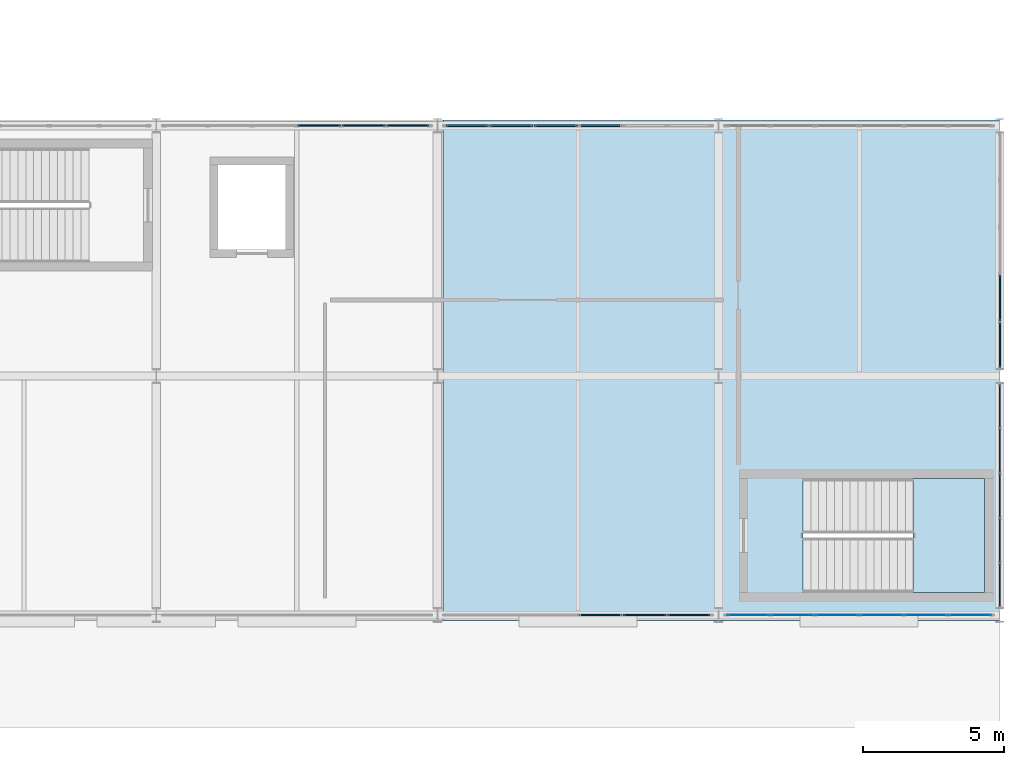
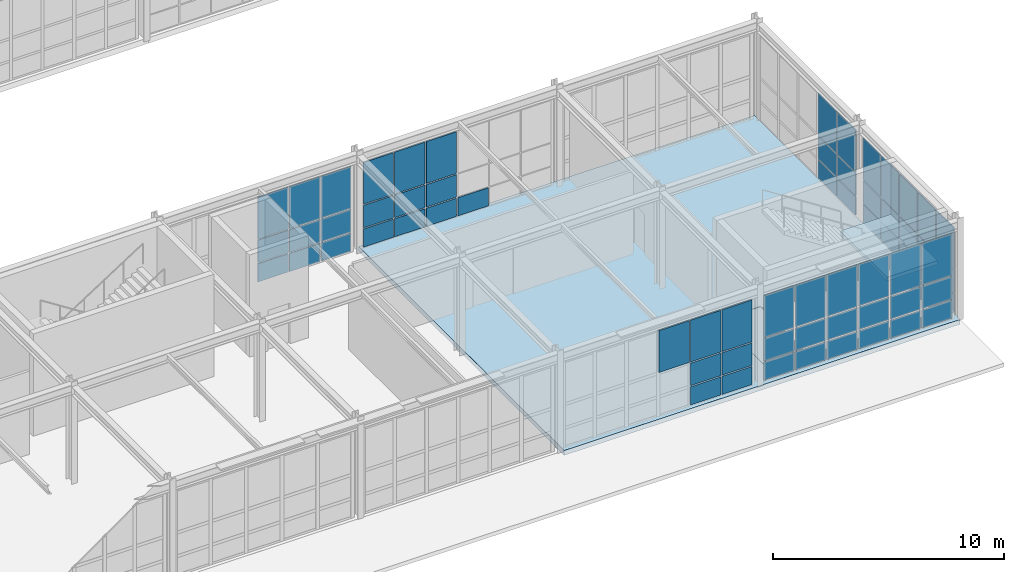
# One storey, part 144 of 210: 65 plates, 3 slabs, 7 elements without a shape of their own.
"""IFC4 building model written with IfcOpenShell, lengths in metres."""

from ifc_helpers import new_model, si_unit, direction, frame, origin, origin_2d, place, context, subcontext, project, spatial, polyline, rectangle, outline, extrude, material, layer, layer_set, type_object, element, aggregate, save


model = new_model("IFC4")

# Units and contexts
model_context = context("Model", 3, precision=1e-05, world=origin(), true_north=direction((0.0, 1.0)))
body_context = subcontext(model_context, "Body", "Model", "MODEL_VIEW")
ifc_project = project(units=[si_unit("LENGTHUNIT", "METRE"), si_unit("AREAUNIT", "SQUARE_METRE"), si_unit("VOLUMEUNIT", "CUBIC_METRE"), si_unit("PLANEANGLEUNIT", "RADIAN"), si_unit("MASSUNIT", "GRAM", prefix="KILO")], contexts=[model_context])

# Site, building, storey
site_placement = place(None, origin())
site = spatial("IfcSite", under=ifc_project, at=site_placement, CompositionType="ELEMENT")
building_placement = place(site_placement, origin())
building = spatial("IfcBuilding", under=site, at=building_placement, Name="Kaldris Quays Convention Centre", CompositionType="ELEMENT")
storey_placement = place(building_placement, frame((0.0, 0.0, 6.0)))
storey = spatial("IfcBuildingStorey", under=building, at=storey_placement, Name="L01", CompositionType="ELEMENT", Elevation=6.0)

# Curtain wall, plates
ifc_material_1 = material(Name="Anodized aluminium AW-6060 and triple glazing", Category="aluminium")
curtain_wall_type = type_object("IfcCurtainWallType", Name="UNITISED CURTAIN WALL CW02", PredefinedType="NOTDEFINED", material=ifc_material_1)
curtain_wall_1_placement = place(storey_placement, origin())
curtain_wall_1 = element("IfcCurtainWall", 1, at=curtain_wall_1_placement, inside=storey, type_object=curtain_wall_type, Name="L01 Unitised Curtain Wall CW02 193", PredefinedType="NOTDEFINED")
ifc_material_2 = material(Name="Triple low-E insulated glazing", Category="glass")
plate_type_1 = type_object("IfcPlateType", Name="CURTAIN GLAZING PANEL CWP1", PredefinedType="CURTAIN_PANEL", material=ifc_material_2)
plate_1_placement = place(storey_placement, frame((195.056640625, 20.0, 0.06005859375), z_axis=(0.0, 0.0, 1.0), x_axis=(1.0, 0.0, 0.0)))
plate_1 = element("IfcPlate", 2, at=plate_1_placement, type_object=plate_type_1, Name="CW02 panel 1.1", PredefinedType="CURTAIN_PANEL", context=body_context, shape_type="SweptSolid", body=[
    extrude(rectangle(XDim=1.493408203125, YDim=0.029052734375, at=origin_2d()), origin(), (0.0, 0.0, 1.0), 0.9599609375),
])
plate_2_placement = place(storey_placement, frame((195.056640625, 20.0, 1.080078125), z_axis=(0.0, 0.0, 1.0), x_axis=(1.0, 0.0, 0.0)))
plate_2 = element("IfcPlate", 3, at=plate_2_placement, type_object=plate_type_1, Name="CW02 panel 1.2", PredefinedType="CURTAIN_PANEL", context=body_context, shape_type="SweptSolid", body=[
    extrude(rectangle(XDim=1.493408203125, YDim=0.029052734375, at=origin_2d()), origin(), (0.0, 0.0, 1.0), 1.18994140625),
])
plate_3_placement = place(storey_placement, frame((195.056640625, 20.0, 2.330078125), z_axis=(0.0, 0.0, 1.0), x_axis=(1.0, 0.0, 0.0)))
plate_3 = element("IfcPlate", 4, at=plate_3_placement, type_object=plate_type_1, Name="CW02 panel 1.3", PredefinedType="CURTAIN_PANEL", context=body_context, shape_type="SweptSolid", body=[
    extrude(rectangle(XDim=1.493408203125, YDim=0.029052734375, at=origin_2d()), origin(), (0.0, 0.0, 1.0), 2.2099609375),
])
plate_4_placement = place(storey_placement, frame((196.625, 20.0, 0.06005859375), z_axis=(0.0, 0.0, 1.0), x_axis=(1.0, 0.0, 0.0)))
plate_4 = element("IfcPlate", 5, at=plate_4_placement, type_object=plate_type_1, Name="CW02 panel 2.1", PredefinedType="CURTAIN_PANEL", context=body_context, shape_type="SweptSolid", body=[
    extrude(rectangle(XDim=1.5234375, YDim=0.029052734375, at=origin_2d()), origin(), (0.0, 0.0, 1.0), 0.9599609375),
])
plate_5_placement = place(storey_placement, frame((196.625, 20.0, 1.080078125), z_axis=(0.0, 0.0, 1.0), x_axis=(1.0, 0.0, 0.0)))
plate_5 = element("IfcPlate", 6, at=plate_5_placement, type_object=plate_type_1, Name="CW02 panel 2.2", PredefinedType="CURTAIN_PANEL", context=body_context, shape_type="SweptSolid", body=[
    extrude(rectangle(XDim=1.5234375, YDim=0.029052734375, at=origin_2d()), origin(), (0.0, 0.0, 1.0), 1.18994140625),
])
plate_6_placement = place(storey_placement, frame((196.625, 20.0, 2.330078125), z_axis=(0.0, 0.0, 1.0), x_axis=(1.0, 0.0, 0.0)))
plate_6 = element("IfcPlate", 7, at=plate_6_placement, type_object=plate_type_1, Name="CW02 panel 2.3", PredefinedType="CURTAIN_PANEL", context=body_context, shape_type="SweptSolid", body=[
    extrude(rectangle(XDim=1.5234375, YDim=0.029052734375, at=origin_2d()), origin(), (0.0, 0.0, 1.0), 2.2099609375),
])
plate_7_placement = place(storey_placement, frame((198.208251953125, 20.0, 0.06005859375), z_axis=(0.0, 0.0, 1.0), x_axis=(1.0, 0.0, 0.0)))
plate_7 = element("IfcPlate", 8, at=plate_7_placement, type_object=plate_type_1, Name="CW02 panel 3.1", PredefinedType="CURTAIN_PANEL", context=body_context, shape_type="SweptSolid", body=[
    extrude(rectangle(XDim=1.5234375, YDim=0.029052734375, at=origin_2d()), origin(), (0.0, 0.0, 1.0), 0.9599609375),
])
plate_8_placement = place(storey_placement, frame((198.208251953125, 20.0, 1.080078125), z_axis=(0.0, 0.0, 1.0), x_axis=(1.0, 0.0, 0.0)))
plate_8 = element("IfcPlate", 9, at=plate_8_placement, type_object=plate_type_1, Name="CW02 panel 3.2", PredefinedType="CURTAIN_PANEL", context=body_context, shape_type="SweptSolid", body=[
    extrude(rectangle(XDim=1.5234375, YDim=0.029052734375, at=origin_2d()), origin(), (0.0, 0.0, 1.0), 1.18994140625),
])
plate_9_placement = place(storey_placement, frame((198.208251953125, 20.0, 2.330078125), z_axis=(0.0, 0.0, 1.0), x_axis=(1.0, 0.0, 0.0)))
plate_9 = element("IfcPlate", 10, at=plate_9_placement, type_object=plate_type_1, Name="CW02 panel 3.3", PredefinedType="CURTAIN_PANEL", context=body_context, shape_type="SweptSolid", body=[
    extrude(rectangle(XDim=1.5234375, YDim=0.029052734375, at=origin_2d()), origin(), (0.0, 0.0, 1.0), 2.2099609375),
])
plate_10_placement = place(storey_placement, frame((199.791748046875, 20.0, 0.06005859375), z_axis=(0.0, 0.0, 1.0), x_axis=(1.0, 0.0, 0.0)))
plate_10 = element("IfcPlate", 11, at=plate_10_placement, type_object=plate_type_1, Name="CW02 panel 4.1", PredefinedType="CURTAIN_PANEL", context=body_context, shape_type="SweptSolid", body=[
    extrude(rectangle(XDim=1.5234375, YDim=0.029052734375, at=origin_2d()), origin(), (0.0, 0.0, 1.0), 0.9599609375),
])
plate_11_placement = place(storey_placement, frame((199.791748046875, 20.0, 1.080078125), z_axis=(0.0, 0.0, 1.0), x_axis=(1.0, 0.0, 0.0)))
plate_11 = element("IfcPlate", 12, at=plate_11_placement, type_object=plate_type_1, Name="CW02 panel 4.2", PredefinedType="CURTAIN_PANEL", context=body_context, shape_type="SweptSolid", body=[
    extrude(rectangle(XDim=1.5234375, YDim=0.029052734375, at=origin_2d()), origin(), (0.0, 0.0, 1.0), 1.18994140625),
])
plate_12_placement = place(storey_placement, frame((199.791748046875, 20.0, 2.330078125), z_axis=(0.0, 0.0, 1.0), x_axis=(1.0, 0.0, 0.0)))
plate_12 = element("IfcPlate", 13, at=plate_12_placement, type_object=plate_type_1, Name="CW02 panel 4.3", PredefinedType="CURTAIN_PANEL", context=body_context, shape_type="SweptSolid", body=[
    extrude(rectangle(XDim=1.5234375, YDim=0.029052734375, at=origin_2d()), origin(), (0.0, 0.0, 1.0), 2.2099609375),
])
plate_13_placement = place(storey_placement, frame((201.375, 20.0, 0.06005859375), z_axis=(0.0, 0.0, 1.0), x_axis=(1.0, 0.0, 0.0)))
plate_13 = element("IfcPlate", 14, at=plate_13_placement, type_object=plate_type_1, Name="CW02 panel 5.1", PredefinedType="CURTAIN_PANEL", context=body_context, shape_type="SweptSolid", body=[
    extrude(rectangle(XDim=1.5234375, YDim=0.029052734375, at=origin_2d()), origin(), (0.0, 0.0, 1.0), 0.9599609375),
])
plate_14_placement = place(storey_placement, frame((201.375, 20.0, 1.080078125), z_axis=(0.0, 0.0, 1.0), x_axis=(1.0, 0.0, 0.0)))
plate_14 = element("IfcPlate", 15, at=plate_14_placement, type_object=plate_type_1, Name="CW02 panel 5.2", PredefinedType="CURTAIN_PANEL", context=body_context, shape_type="SweptSolid", body=[
    extrude(rectangle(XDim=1.5234375, YDim=0.029052734375, at=origin_2d()), origin(), (0.0, 0.0, 1.0), 1.18994140625),
])
plate_15_placement = place(storey_placement, frame((201.375, 20.0, 2.330078125), z_axis=(0.0, 0.0, 1.0), x_axis=(1.0, 0.0, 0.0)))
plate_15 = element("IfcPlate", 16, at=plate_15_placement, type_object=plate_type_1, Name="CW02 panel 5.3", PredefinedType="CURTAIN_PANEL", context=body_context, shape_type="SweptSolid", body=[
    extrude(rectangle(XDim=1.5234375, YDim=0.029052734375, at=origin_2d()), origin(), (0.0, 0.0, 1.0), 2.2099609375),
])
plate_16_placement = place(storey_placement, frame((202.943359375, 20.0, 0.06005859375), z_axis=(0.0, 0.0, 1.0), x_axis=(1.0, 0.0, 0.0)))
plate_16 = element("IfcPlate", 17, at=plate_16_placement, type_object=plate_type_1, Name="CW02 panel 6.1", PredefinedType="CURTAIN_PANEL", context=body_context, shape_type="SweptSolid", body=[
    extrude(rectangle(XDim=1.493408203125, YDim=0.029052734375, at=origin_2d()), origin(), (0.0, 0.0, 1.0), 0.9599609375),
])
plate_17_placement = place(storey_placement, frame((202.943359375, 20.0, 1.080078125), z_axis=(0.0, 0.0, 1.0), x_axis=(1.0, 0.0, 0.0)))
plate_17 = element("IfcPlate", 18, at=plate_17_placement, type_object=plate_type_1, Name="CW02 panel 6.2", PredefinedType="CURTAIN_PANEL", context=body_context, shape_type="SweptSolid", body=[
    extrude(rectangle(XDim=1.493408203125, YDim=0.029052734375, at=origin_2d()), origin(), (0.0, 0.0, 1.0), 1.18994140625),
])
plate_18_placement = place(storey_placement, frame((202.943359375, 20.0, 2.330078125), z_axis=(0.0, 0.0, 1.0), x_axis=(1.0, 0.0, 0.0)))
plate_18 = element("IfcPlate", 19, at=plate_18_placement, type_object=plate_type_1, Name="CW02 panel 6.3", PredefinedType="CURTAIN_PANEL", context=body_context, shape_type="SweptSolid", body=[
    extrude(rectangle(XDim=1.493408203125, YDim=0.029052734375, at=origin_2d()), origin(), (0.0, 0.0, 1.0), 2.2099609375),
])
aggregate(curtain_wall_1, [plate_1, plate_2, plate_3, plate_4, plate_5, plate_6, plate_7, plate_8, plate_9, plate_10, plate_11, plate_12, plate_13, plate_14, plate_15, plate_16, plate_17, plate_18])

curtain_wall_2_placement = place(storey_placement, origin())
curtain_wall_2 = element("IfcCurtainWall", 20, at=curtain_wall_2_placement, inside=storey, type_object=curtain_wall_type, Name="L01 Unitised Curtain Wall CW02 196", PredefinedType="NOTDEFINED")
plate_type_2 = type_object("IfcPlateType", Name="CURTAIN GLAZING PANEL CWP4", PredefinedType="CURTAIN_PANEL", material=ifc_material_2)
plate_19_placement = place(storey_placement, frame((204.0, 21.06494140625, 0.06005859375), z_axis=(0.0, 0.0, 1.0), x_axis=(0.0, 1.0, 0.0)))
plate_19 = element("IfcPlate", 21, at=plate_19_placement, type_object=plate_type_2, Name="CW02 panel 1.1", PredefinedType="CURTAIN_PANEL", context=body_context, shape_type="SweptSolid", body=[
    extrude(rectangle(XDim=1.510009765625, YDim=0.0439453125, at=origin_2d()), origin(), (0.0, 0.0, 1.0), 0.9599609375),
])
plate_20_placement = place(storey_placement, frame((204.0, 21.06494140625, 1.080078125), z_axis=(0.0, 0.0, 1.0), x_axis=(0.0, 1.0, 0.0)))
plate_20 = element("IfcPlate", 22, at=plate_20_placement, type_object=plate_type_2, Name="CW02 panel 1.2", PredefinedType="CURTAIN_PANEL", context=body_context, shape_type="SweptSolid", body=[
    extrude(rectangle(XDim=1.510009765625, YDim=0.0439453125, at=origin_2d()), origin(), (0.0, 0.0, 1.0), 1.18994140625),
])
plate_21_placement = place(storey_placement, frame((204.0, 21.06494140625, 2.330078125), z_axis=(0.0, 0.0, 1.0), x_axis=(0.0, 1.0, 0.0)))
plate_21 = element("IfcPlate", 23, at=plate_21_placement, type_object=plate_type_2, Name="CW02 panel 1.3", PredefinedType="CURTAIN_PANEL", context=body_context, shape_type="SweptSolid", body=[
    extrude(rectangle(XDim=1.510009765625, YDim=0.0439453125, at=origin_2d()), origin(), (0.0, 0.0, 1.0), 2.2099609375),
])
plate_22_placement = place(storey_placement, frame((204.0, 22.64990234375, 0.06005859375), z_axis=(0.0, 0.0, 1.0), x_axis=(0.0, 1.0, 0.0)))
plate_22 = element("IfcPlate", 24, at=plate_22_placement, type_object=plate_type_2, Name="CW02 panel 2.1", PredefinedType="CURTAIN_PANEL", context=body_context, shape_type="SweptSolid", body=[
    extrude(rectangle(XDim=1.5400390625, YDim=0.0439453125, at=origin_2d()), origin(), (0.0, 0.0, 1.0), 0.9599609375),
])
plate_23_placement = place(storey_placement, frame((204.0, 22.64990234375, 1.080078125), z_axis=(0.0, 0.0, 1.0), x_axis=(0.0, 1.0, 0.0)))
plate_23 = element("IfcPlate", 25, at=plate_23_placement, type_object=plate_type_2, Name="CW02 panel 2.2", PredefinedType="CURTAIN_PANEL", context=body_context, shape_type="SweptSolid", body=[
    extrude(rectangle(XDim=1.5400390625, YDim=0.0439453125, at=origin_2d()), origin(), (0.0, 0.0, 1.0), 1.18994140625),
])
plate_24_placement = place(storey_placement, frame((204.0, 22.64990234375, 2.330078125), z_axis=(0.0, 0.0, 1.0), x_axis=(0.0, 1.0, 0.0)))
plate_24 = element("IfcPlate", 26, at=plate_24_placement, type_object=plate_type_2, Name="CW02 panel 2.3", PredefinedType="CURTAIN_PANEL", context=body_context, shape_type="SweptSolid", body=[
    extrude(rectangle(XDim=1.5400390625, YDim=0.0439453125, at=origin_2d()), origin(), (0.0, 0.0, 1.0), 2.2099609375),
])
plate_25_placement = place(storey_placement, frame((204.0, 24.25, 0.06005859375), z_axis=(0.0, 0.0, 1.0), x_axis=(0.0, 1.0, 0.0)))
plate_25 = element("IfcPlate", 27, at=plate_25_placement, type_object=plate_type_2, Name="CW02 panel 3.1", PredefinedType="CURTAIN_PANEL", context=body_context, shape_type="SweptSolid", body=[
    extrude(rectangle(XDim=1.5400390625, YDim=0.0439453125, at=origin_2d()), origin(), (0.0, 0.0, 1.0), 0.9599609375),
])
plate_26_placement = place(storey_placement, frame((204.0, 24.25, 1.080078125), z_axis=(0.0, 0.0, 1.0), x_axis=(0.0, 1.0, 0.0)))
plate_26 = element("IfcPlate", 28, at=plate_26_placement, type_object=plate_type_2, Name="CW02 panel 3.2", PredefinedType="CURTAIN_PANEL", context=body_context, shape_type="SweptSolid", body=[
    extrude(rectangle(XDim=1.5400390625, YDim=0.0439453125, at=origin_2d()), origin(), (0.0, 0.0, 1.0), 1.18994140625),
])
plate_27_placement = place(storey_placement, frame((204.0, 24.25, 2.330078125), z_axis=(0.0, 0.0, 1.0), x_axis=(0.0, 1.0, 0.0)))
plate_27 = element("IfcPlate", 29, at=plate_27_placement, type_object=plate_type_2, Name="CW02 panel 3.3", PredefinedType="CURTAIN_PANEL", context=body_context, shape_type="SweptSolid", body=[
    extrude(rectangle(XDim=1.5400390625, YDim=0.0439453125, at=origin_2d()), origin(), (0.0, 0.0, 1.0), 2.2099609375),
])
plate_28_placement = place(storey_placement, frame((204.0, 25.85009765625, 0.06005859375), z_axis=(0.0, 0.0, 1.0), x_axis=(0.0, 1.0, 0.0)))
plate_28 = element("IfcPlate", 30, at=plate_28_placement, type_object=plate_type_2, Name="CW02 panel 4.1", PredefinedType="CURTAIN_PANEL", context=body_context, shape_type="SweptSolid", body=[
    extrude(rectangle(XDim=1.5400390625, YDim=0.0439453125, at=origin_2d()), origin(), (0.0, 0.0, 1.0), 0.9599609375),
])
plate_29_placement = place(storey_placement, frame((204.0, 25.85009765625, 1.080078125), z_axis=(0.0, 0.0, 1.0), x_axis=(0.0, 1.0, 0.0)))
plate_29 = element("IfcPlate", 31, at=plate_29_placement, type_object=plate_type_2, Name="CW02 panel 4.2", PredefinedType="CURTAIN_PANEL", context=body_context, shape_type="SweptSolid", body=[
    extrude(rectangle(XDim=1.5400390625, YDim=0.0439453125, at=origin_2d()), origin(), (0.0, 0.0, 1.0), 1.18994140625),
])
plate_30_placement = place(storey_placement, frame((204.0, 25.85009765625, 2.330078125), z_axis=(0.0, 0.0, 1.0), x_axis=(0.0, 1.0, 0.0)))
plate_30 = element("IfcPlate", 32, at=plate_30_placement, type_object=plate_type_2, Name="CW02 panel 4.3", PredefinedType="CURTAIN_PANEL", context=body_context, shape_type="SweptSolid", body=[
    extrude(rectangle(XDim=1.5400390625, YDim=0.0439453125, at=origin_2d()), origin(), (0.0, 0.0, 1.0), 2.2099609375),
])
plate_31_placement = place(storey_placement, frame((204.0, 27.43505859375, 0.06005859375), z_axis=(0.0, 0.0, 1.0), x_axis=(0.0, 1.0, 0.0)))
plate_31 = element("IfcPlate", 33, at=plate_31_placement, type_object=plate_type_2, Name="CW02 panel 5.1", PredefinedType="CURTAIN_PANEL", context=body_context, shape_type="SweptSolid", body=[
    extrude(rectangle(XDim=1.510009765625, YDim=0.0439453125, at=origin_2d()), origin(), (0.0, 0.0, 1.0), 0.9599609375),
])
plate_32_placement = place(storey_placement, frame((204.0, 27.43505859375, 1.080078125), z_axis=(0.0, 0.0, 1.0), x_axis=(0.0, 1.0, 0.0)))
plate_32 = element("IfcPlate", 34, at=plate_32_placement, type_object=plate_type_2, Name="CW02 panel 5.2", PredefinedType="CURTAIN_PANEL", context=body_context, shape_type="SweptSolid", body=[
    extrude(rectangle(XDim=1.510009765625, YDim=0.0439453125, at=origin_2d()), origin(), (0.0, 0.0, 1.0), 1.18994140625),
])
plate_33_placement = place(storey_placement, frame((204.0, 27.43505859375, 2.330078125), z_axis=(0.0, 0.0, 1.0), x_axis=(0.0, 1.0, 0.0)))
plate_33 = element("IfcPlate", 35, at=plate_33_placement, type_object=plate_type_2, Name="CW02 panel 5.3", PredefinedType="CURTAIN_PANEL", context=body_context, shape_type="SweptSolid", body=[
    extrude(rectangle(XDim=1.510009765625, YDim=0.0439453125, at=origin_2d()), origin(), (0.0, 0.0, 1.0), 2.2099609375),
])
aggregate(curtain_wall_2, [plate_19, plate_20, plate_21, plate_22, plate_23, plate_24, plate_25, plate_26, plate_27, plate_28, plate_29, plate_30, plate_31, plate_32, plate_33])

curtain_wall_3_placement = place(storey_placement, origin())
curtain_wall_3 = element("IfcCurtainWall", 36, at=curtain_wall_3_placement, inside=storey, type_object=curtain_wall_type, Name="L01 Unitised Curtain Wall CW02 190", PredefinedType="NOTDEFINED")
plate_type_3 = type_object("IfcPlateType", Name="CURTAIN GLAZING PANEL CWP6", PredefinedType="CURTAIN_PANEL", material=ifc_material_2)
plate_34_placement = place(storey_placement, frame((179.791748046875, 37.39990234375, 0.06005859375), z_axis=(0.0, 0.0, 1.0), x_axis=(1.0, 0.0, 0.0)))
plate_34 = element("IfcPlate", 37, at=plate_34_placement, type_object=plate_type_3, Name="CW02 panel 4.1", PredefinedType="CURTAIN_PANEL", context=body_context, shape_type="SweptSolid", body=[
    extrude(rectangle(XDim=1.5234375, YDim=0.053955078125, at=origin_2d()), origin(), (0.0, 0.0, 1.0), 0.9599609375),
])
plate_35_placement = place(storey_placement, frame((179.791748046875, 37.39990234375, 1.080078125), z_axis=(0.0, 0.0, 1.0), x_axis=(1.0, 0.0, 0.0)))
plate_35 = element("IfcPlate", 38, at=plate_35_placement, type_object=plate_type_3, Name="CW02 panel 4.2", PredefinedType="CURTAIN_PANEL", context=body_context, shape_type="SweptSolid", body=[
    extrude(rectangle(XDim=1.5234375, YDim=0.053955078125, at=origin_2d()), origin(), (0.0, 0.0, 1.0), 1.18994140625),
])
plate_36_placement = place(storey_placement, frame((179.791748046875, 37.39990234375, 2.330078125), z_axis=(0.0, 0.0, 1.0), x_axis=(1.0, 0.0, 0.0)))
plate_36 = element("IfcPlate", 39, at=plate_36_placement, type_object=plate_type_3, Name="CW02 panel 4.3", PredefinedType="CURTAIN_PANEL", context=body_context, shape_type="SweptSolid", body=[
    extrude(rectangle(XDim=1.5234375, YDim=0.053955078125, at=origin_2d()), origin(), (0.0, 0.0, 1.0), 2.2099609375),
])
plate_37_placement = place(storey_placement, frame((181.375, 37.39990234375, 0.06005859375), z_axis=(0.0, 0.0, 1.0), x_axis=(1.0, 0.0, 0.0)))
plate_37 = element("IfcPlate", 40, at=plate_37_placement, type_object=plate_type_3, Name="CW02 panel 5.1", PredefinedType="CURTAIN_PANEL", context=body_context, shape_type="SweptSolid", body=[
    extrude(rectangle(XDim=1.5234375, YDim=0.053955078125, at=origin_2d()), origin(), (0.0, 0.0, 1.0), 0.9599609375),
])
plate_38_placement = place(storey_placement, frame((181.375, 37.39990234375, 1.080078125), z_axis=(0.0, 0.0, 1.0), x_axis=(1.0, 0.0, 0.0)))
plate_38 = element("IfcPlate", 41, at=plate_38_placement, type_object=plate_type_3, Name="CW02 panel 5.2", PredefinedType="CURTAIN_PANEL", context=body_context, shape_type="SweptSolid", body=[
    extrude(rectangle(XDim=1.5234375, YDim=0.053955078125, at=origin_2d()), origin(), (0.0, 0.0, 1.0), 1.18994140625),
])
plate_39_placement = place(storey_placement, frame((181.375, 37.39990234375, 2.330078125), z_axis=(0.0, 0.0, 1.0), x_axis=(1.0, 0.0, 0.0)))
plate_39 = element("IfcPlate", 42, at=plate_39_placement, type_object=plate_type_3, Name="CW02 panel 5.3", PredefinedType="CURTAIN_PANEL", context=body_context, shape_type="SweptSolid", body=[
    extrude(rectangle(XDim=1.5234375, YDim=0.053955078125, at=origin_2d()), origin(), (0.0, 0.0, 1.0), 2.2099609375),
])
plate_40_placement = place(storey_placement, frame((182.943359375, 37.39990234375, 0.06005859375), z_axis=(0.0, 0.0, 1.0), x_axis=(1.0, 0.0, 0.0)))
plate_40 = element("IfcPlate", 43, at=plate_40_placement, type_object=plate_type_3, Name="CW02 panel 6.1", PredefinedType="CURTAIN_PANEL", context=body_context, shape_type="SweptSolid", body=[
    extrude(rectangle(XDim=1.493408203125, YDim=0.053955078125, at=origin_2d()), origin(), (0.0, 0.0, 1.0), 0.9599609375),
])
plate_41_placement = place(storey_placement, frame((182.943359375, 37.39990234375, 1.080078125), z_axis=(0.0, 0.0, 1.0), x_axis=(1.0, 0.0, 0.0)))
plate_41 = element("IfcPlate", 44, at=plate_41_placement, type_object=plate_type_3, Name="CW02 panel 6.2", PredefinedType="CURTAIN_PANEL", context=body_context, shape_type="SweptSolid", body=[
    extrude(rectangle(XDim=1.493408203125, YDim=0.053955078125, at=origin_2d()), origin(), (0.0, 0.0, 1.0), 1.18994140625),
])
plate_42_placement = place(storey_placement, frame((182.943359375, 37.39990234375, 2.330078125), z_axis=(0.0, 0.0, 1.0), x_axis=(1.0, 0.0, 0.0)))
plate_42 = element("IfcPlate", 45, at=plate_42_placement, type_object=plate_type_3, Name="CW02 panel 6.3", PredefinedType="CURTAIN_PANEL", context=body_context, shape_type="SweptSolid", body=[
    extrude(rectangle(XDim=1.493408203125, YDim=0.053955078125, at=origin_2d()), origin(), (0.0, 0.0, 1.0), 2.2099609375),
])
aggregate(curtain_wall_3, [plate_34, plate_35, plate_36, plate_37, plate_38, plate_39, plate_40, plate_41, plate_42])

curtain_wall_4_placement = place(storey_placement, origin())
curtain_wall_4 = element("IfcCurtainWall", 46, at=curtain_wall_4_placement, inside=storey, type_object=curtain_wall_type, Name="L01 Unitised Curtain Wall CW02 198", PredefinedType="NOTDEFINED")
plate_43_placement = place(storey_placement, frame((204.0, 29.60498046875, 0.06005859375), z_axis=(0.0, 0.0, 1.0), x_axis=(0.0, 1.0, 0.0)))
plate_43 = element("IfcPlate", 47, at=plate_43_placement, type_object=plate_type_3, Name="CW02 panel 1.1", PredefinedType="CURTAIN_PANEL", context=body_context, shape_type="SweptSolid", body=[
    extrude(rectangle(XDim=1.590087890625, YDim=0.053955078125, at=origin_2d()), origin(), (0.0, 0.0, 1.0), 0.9599609375),
])
plate_44_placement = place(storey_placement, frame((204.0, 29.60498046875, 1.080078125), z_axis=(0.0, 0.0, 1.0), x_axis=(0.0, 1.0, 0.0)))
plate_44 = element("IfcPlate", 48, at=plate_44_placement, type_object=plate_type_3, Name="CW02 panel 1.2", PredefinedType="CURTAIN_PANEL", context=body_context, shape_type="SweptSolid", body=[
    extrude(rectangle(XDim=1.590087890625, YDim=0.053955078125, at=origin_2d()), origin(), (0.0, 0.0, 1.0), 1.18994140625),
])
plate_45_placement = place(storey_placement, frame((204.0, 29.60498046875, 2.330078125), z_axis=(0.0, 0.0, 1.0), x_axis=(0.0, 1.0, 0.0)))
plate_45 = element("IfcPlate", 49, at=plate_45_placement, type_object=plate_type_3, Name="CW02 panel 1.3", PredefinedType="CURTAIN_PANEL", context=body_context, shape_type="SweptSolid", body=[
    extrude(rectangle(XDim=1.590087890625, YDim=0.053955078125, at=origin_2d()), origin(), (0.0, 0.0, 1.0), 2.2099609375),
])
plate_46_placement = place(storey_placement, frame((204.0, 31.27001953125, 0.06005859375), z_axis=(0.0, 0.0, 1.0), x_axis=(0.0, 1.0, 0.0)))
plate_46 = element("IfcPlate", 50, at=plate_46_placement, type_object=plate_type_3, Name="CW02 panel 2.1", PredefinedType="CURTAIN_PANEL", context=body_context, shape_type="SweptSolid", body=[
    extrude(rectangle(XDim=1.6201171875, YDim=0.053955078125, at=origin_2d()), origin(), (0.0, 0.0, 1.0), 0.9599609375),
])
plate_47_placement = place(storey_placement, frame((204.0, 31.27001953125, 1.080078125), z_axis=(0.0, 0.0, 1.0), x_axis=(0.0, 1.0, 0.0)))
plate_47 = element("IfcPlate", 51, at=plate_47_placement, type_object=plate_type_3, Name="CW02 panel 2.2", PredefinedType="CURTAIN_PANEL", context=body_context, shape_type="SweptSolid", body=[
    extrude(rectangle(XDim=1.6201171875, YDim=0.053955078125, at=origin_2d()), origin(), (0.0, 0.0, 1.0), 1.18994140625),
])
plate_48_placement = place(storey_placement, frame((204.0, 31.27001953125, 2.330078125), z_axis=(0.0, 0.0, 1.0), x_axis=(0.0, 1.0, 0.0)))
plate_48 = element("IfcPlate", 52, at=plate_48_placement, type_object=plate_type_3, Name="CW02 panel 2.3", PredefinedType="CURTAIN_PANEL", context=body_context, shape_type="SweptSolid", body=[
    extrude(rectangle(XDim=1.6201171875, YDim=0.053955078125, at=origin_2d()), origin(), (0.0, 0.0, 1.0), 2.2099609375),
])
aggregate(curtain_wall_4, [plate_43, plate_44, plate_45, plate_46, plate_47, plate_48])

curtain_wall_5_placement = place(storey_placement, origin())
curtain_wall_5 = element("IfcCurtainWall", 53, at=curtain_wall_5_placement, inside=storey, type_object=curtain_wall_type, Name="L01 Unitised Curtain Wall CW02 191", PredefinedType="NOTDEFINED")
plate_type_4 = type_object("IfcPlateType", Name="CURTAIN GLAZING PANEL CWP7", PredefinedType="CURTAIN_PANEL", material=ifc_material_2)
plate_49_placement = place(storey_placement, frame((189.791748046875, 20.0, 2.330078125), z_axis=(0.0, 0.0, 1.0), x_axis=(1.0, 0.0, 0.0)))
plate_49 = element("IfcPlate", 54, at=plate_49_placement, type_object=plate_type_4, Name="CW02 panel 4.3", PredefinedType="CURTAIN_PANEL", context=body_context, shape_type="SweptSolid", body=[
    extrude(rectangle(XDim=1.5234375, YDim=0.05908203125, at=origin_2d()), origin(), (0.0, 0.0, 1.0), 2.2099609375),
])
plate_50_placement = place(storey_placement, frame((191.375, 20.0, 0.06005859375), z_axis=(0.0, 0.0, 1.0), x_axis=(1.0, 0.0, 0.0)))
plate_50 = element("IfcPlate", 55, at=plate_50_placement, type_object=plate_type_4, Name="CW02 panel 5.1", PredefinedType="CURTAIN_PANEL", context=body_context, shape_type="SweptSolid", body=[
    extrude(rectangle(XDim=1.5234375, YDim=0.05908203125, at=origin_2d()), origin(), (0.0, 0.0, 1.0), 0.9599609375),
])
plate_51_placement = place(storey_placement, frame((191.375, 20.0, 1.080078125), z_axis=(0.0, 0.0, 1.0), x_axis=(1.0, 0.0, 0.0)))
plate_51 = element("IfcPlate", 56, at=plate_51_placement, type_object=plate_type_4, Name="CW02 panel 5.2", PredefinedType="CURTAIN_PANEL", context=body_context, shape_type="SweptSolid", body=[
    extrude(rectangle(XDim=1.5234375, YDim=0.05908203125, at=origin_2d()), origin(), (0.0, 0.0, 1.0), 1.18994140625),
])
plate_52_placement = place(storey_placement, frame((191.375, 20.0, 2.330078125), z_axis=(0.0, 0.0, 1.0), x_axis=(1.0, 0.0, 0.0)))
plate_52 = element("IfcPlate", 57, at=plate_52_placement, type_object=plate_type_4, Name="CW02 panel 5.3", PredefinedType="CURTAIN_PANEL", context=body_context, shape_type="SweptSolid", body=[
    extrude(rectangle(XDim=1.5234375, YDim=0.05908203125, at=origin_2d()), origin(), (0.0, 0.0, 1.0), 2.2099609375),
])
plate_53_placement = place(storey_placement, frame((192.943359375, 20.0, 0.06005859375), z_axis=(0.0, 0.0, 1.0), x_axis=(1.0, 0.0, 0.0)))
plate_53 = element("IfcPlate", 58, at=plate_53_placement, type_object=plate_type_4, Name="CW02 panel 6.1", PredefinedType="CURTAIN_PANEL", context=body_context, shape_type="SweptSolid", body=[
    extrude(rectangle(XDim=1.493408203125, YDim=0.05908203125, at=origin_2d()), origin(), (0.0, 0.0, 1.0), 0.9599609375),
])
plate_54_placement = place(storey_placement, frame((192.943359375, 20.0, 1.080078125), z_axis=(0.0, 0.0, 1.0), x_axis=(1.0, 0.0, 0.0)))
plate_54 = element("IfcPlate", 59, at=plate_54_placement, type_object=plate_type_4, Name="CW02 panel 6.2", PredefinedType="CURTAIN_PANEL", context=body_context, shape_type="SweptSolid", body=[
    extrude(rectangle(XDim=1.493408203125, YDim=0.05908203125, at=origin_2d()), origin(), (0.0, 0.0, 1.0), 1.18994140625),
])
plate_55_placement = place(storey_placement, frame((192.943359375, 20.0, 2.330078125), z_axis=(0.0, 0.0, 1.0), x_axis=(1.0, 0.0, 0.0)))
plate_55 = element("IfcPlate", 60, at=plate_55_placement, type_object=plate_type_4, Name="CW02 panel 6.3", PredefinedType="CURTAIN_PANEL", context=body_context, shape_type="SweptSolid", body=[
    extrude(rectangle(XDim=1.493408203125, YDim=0.05908203125, at=origin_2d()), origin(), (0.0, 0.0, 1.0), 2.2099609375),
])
aggregate(curtain_wall_5, [plate_49, plate_50, plate_51, plate_52, plate_53, plate_54, plate_55])

curtain_wall_6_placement = place(storey_placement, origin())
curtain_wall_6 = element("IfcCurtainWall", 61, at=curtain_wall_6_placement, inside=storey, type_object=curtain_wall_type, Name="L01 Unitised Curtain Wall CW02 192", PredefinedType="NOTDEFINED")
plate_type_5 = type_object("IfcPlateType", Name="CURTAIN GLAZING PANEL CWP8", PredefinedType="CURTAIN_PANEL", material=ifc_material_2)
plate_56_placement = place(storey_placement, frame((185.056640625, 37.39990234375, 0.06005859375), z_axis=(0.0, 0.0, 1.0), x_axis=(1.0, 0.0, 0.0)))
plate_56 = element("IfcPlate", 62, at=plate_56_placement, type_object=plate_type_5, Name="CW02 panel 1.1", PredefinedType="CURTAIN_PANEL", context=body_context, shape_type="SweptSolid", body=[
    extrude(rectangle(XDim=1.493408203125, YDim=0.06396484375, at=origin_2d()), origin(), (0.0, 0.0, 1.0), 0.9599609375),
])
plate_57_placement = place(storey_placement, frame((185.056640625, 37.39990234375, 1.080078125), z_axis=(0.0, 0.0, 1.0), x_axis=(1.0, 0.0, 0.0)))
plate_57 = element("IfcPlate", 63, at=plate_57_placement, type_object=plate_type_5, Name="CW02 panel 1.2", PredefinedType="CURTAIN_PANEL", context=body_context, shape_type="SweptSolid", body=[
    extrude(rectangle(XDim=1.493408203125, YDim=0.06396484375, at=origin_2d()), origin(), (0.0, 0.0, 1.0), 1.18994140625),
])
plate_58_placement = place(storey_placement, frame((185.056640625, 37.39990234375, 2.330078125), z_axis=(0.0, 0.0, 1.0), x_axis=(1.0, 0.0, 0.0)))
plate_58 = element("IfcPlate", 64, at=plate_58_placement, type_object=plate_type_5, Name="CW02 panel 1.3", PredefinedType="CURTAIN_PANEL", context=body_context, shape_type="SweptSolid", body=[
    extrude(rectangle(XDim=1.493408203125, YDim=0.06396484375, at=origin_2d()), origin(), (0.0, 0.0, 1.0), 2.2099609375),
])
plate_59_placement = place(storey_placement, frame((186.625, 37.39990234375, 0.06005859375), z_axis=(0.0, 0.0, 1.0), x_axis=(1.0, 0.0, 0.0)))
plate_59 = element("IfcPlate", 65, at=plate_59_placement, type_object=plate_type_5, Name="CW02 panel 2.1", PredefinedType="CURTAIN_PANEL", context=body_context, shape_type="SweptSolid", body=[
    extrude(rectangle(XDim=1.5234375, YDim=0.06396484375, at=origin_2d()), origin(), (0.0, 0.0, 1.0), 0.9599609375),
])
plate_60_placement = place(storey_placement, frame((186.625, 37.39990234375, 1.080078125), z_axis=(0.0, 0.0, 1.0), x_axis=(1.0, 0.0, 0.0)))
plate_60 = element("IfcPlate", 66, at=plate_60_placement, type_object=plate_type_5, Name="CW02 panel 2.2", PredefinedType="CURTAIN_PANEL", context=body_context, shape_type="SweptSolid", body=[
    extrude(rectangle(XDim=1.5234375, YDim=0.06396484375, at=origin_2d()), origin(), (0.0, 0.0, 1.0), 1.18994140625),
])
plate_61_placement = place(storey_placement, frame((186.625, 37.39990234375, 2.330078125), z_axis=(0.0, 0.0, 1.0), x_axis=(1.0, 0.0, 0.0)))
plate_61 = element("IfcPlate", 67, at=plate_61_placement, type_object=plate_type_5, Name="CW02 panel 2.3", PredefinedType="CURTAIN_PANEL", context=body_context, shape_type="SweptSolid", body=[
    extrude(rectangle(XDim=1.5234375, YDim=0.06396484375, at=origin_2d()), origin(), (0.0, 0.0, 1.0), 2.2099609375),
])
plate_62_placement = place(storey_placement, frame((188.208251953125, 37.39990234375, 0.06005859375), z_axis=(0.0, 0.0, 1.0), x_axis=(1.0, 0.0, 0.0)))
plate_62 = element("IfcPlate", 68, at=plate_62_placement, type_object=plate_type_5, Name="CW02 panel 3.1", PredefinedType="CURTAIN_PANEL", context=body_context, shape_type="SweptSolid", body=[
    extrude(rectangle(XDim=1.5234375, YDim=0.06396484375, at=origin_2d()), origin(), (0.0, 0.0, 1.0), 0.9599609375),
])
plate_63_placement = place(storey_placement, frame((188.208251953125, 37.39990234375, 1.080078125), z_axis=(0.0, 0.0, 1.0), x_axis=(1.0, 0.0, 0.0)))
plate_63 = element("IfcPlate", 69, at=plate_63_placement, type_object=plate_type_5, Name="CW02 panel 3.2", PredefinedType="CURTAIN_PANEL", context=body_context, shape_type="SweptSolid", body=[
    extrude(rectangle(XDim=1.5234375, YDim=0.06396484375, at=origin_2d()), origin(), (0.0, 0.0, 1.0), 1.18994140625),
])
plate_64_placement = place(storey_placement, frame((188.208251953125, 37.39990234375, 2.330078125), z_axis=(0.0, 0.0, 1.0), x_axis=(1.0, 0.0, 0.0)))
plate_64 = element("IfcPlate", 70, at=plate_64_placement, type_object=plate_type_5, Name="CW02 panel 3.3", PredefinedType="CURTAIN_PANEL", context=body_context, shape_type="SweptSolid", body=[
    extrude(rectangle(XDim=1.5234375, YDim=0.06396484375, at=origin_2d()), origin(), (0.0, 0.0, 1.0), 2.2099609375),
])
plate_65_placement = place(storey_placement, frame((189.791748046875, 37.39990234375, 0.06005859375), z_axis=(0.0, 0.0, 1.0), x_axis=(1.0, 0.0, 0.0)))
plate_65 = element("IfcPlate", 71, at=plate_65_placement, type_object=plate_type_5, Name="CW02 panel 4.1", PredefinedType="CURTAIN_PANEL", context=body_context, shape_type="SweptSolid", body=[
    extrude(rectangle(XDim=1.5234375, YDim=0.06396484375, at=origin_2d()), origin(), (0.0, 0.0, 1.0), 0.9599609375),
])
aggregate(curtain_wall_6, [plate_56, plate_57, plate_58, plate_59, plate_60, plate_61, plate_62, plate_63, plate_64, plate_65])

# Stair, slab
ifc_material_3 = material(Name="Concrete C35/45", Category="concrete")
stair_type = type_object("IfcStairType", Name="DOGLEG ESCAPE STAIR STF1", PredefinedType="TWO_STRAIGHT_RUN_STAIR", material=ifc_material_3)
stair_placement = place(storey_placement, origin())
stair = element("IfcStair", 72, at=stair_placement, inside=storey, type_object=stair_type, Name="L01 Escape Stair ST16", PredefinedType="TWO_STRAIGHT_RUN_STAIR")
ifc_layer_1 = layer(ifc_material_3, 0.205078125)
ifc_layer_set_1 = layer_set([ifc_layer_1], Name="Concrete C35/45")
slab_type_1 = type_object("IfcSlabType", Name="STAIR LANDING SLAB LS01", PredefinedType="LANDING", material=ifc_layer_set_1)
slab_1_placement = place(storey_placement, frame((0.0, 0.0, 2.4951171875)))
slab_1 = element("IfcSlab", 73, at=slab_1_placement, type_object=slab_type_1, Name="STF1 landing 1", PredefinedType="LANDING", context=body_context, shape_type="SweptSolid", body=[
    extrude(outline(polyline([(200.919921875, 20.800048828125), (203.449951171875, 20.800048828125), (203.449951171875, 24.85009765625), (200.919921875, 24.85009765625), (200.919921875, 20.800048828125)])), origin(), (0.0, 0.0, 1.0), 0.204833984375),
])
aggregate(stair, [slab_1])

# Slabs
ifc_layer_2 = layer(ifc_material_3, 0.27490234375)
ifc_layer_set_2 = layer_set([ifc_layer_2], Name="Concrete C35/45")
slab_type_2 = type_object("IfcSlabType", Name="STRUCTURAL SLAB FS05", PredefinedType="FLOOR", material=ifc_layer_set_2)
slab_2_placement = place(storey_placement, frame((0.0, 0.0, -0.27490234375)))
element("IfcSlab", 74, at=slab_2_placement, inside=storey, type_object=slab_type_2, Name="L01 ST16 Core Floor Landing Slab", PredefinedType="FLOOR", context=body_context, shape_type="SweptSolid", body=[
    extrude(outline(polyline([(194.929931640625, 20.679931640625), (197.0, 20.679931640625), (197.0, 24.969970703125), (194.929931640625, 24.969970703125), (194.929931640625, 20.679931640625)])), origin(), (0.0, 0.0, 1.0), 0.27490234375),
])
ifc_layer_3 = layer(ifc_material_3, 0.2548828125)
ifc_layer_set_3 = layer_set([ifc_layer_3], Name="Concrete C35/45")
slab_type_3 = type_object("IfcSlabType", Name="STRUCTURAL SLAB FS06", PredefinedType="FLOOR", material=ifc_layer_set_3)
slab_3_placement = place(storey_placement, frame((0.0, 0.0, -0.2548828125)))
element("IfcSlab", 75, at=slab_3_placement, inside=storey, type_object=slab_type_3, Name="L01 V5 L01 Biz B SLAB-L01-V5B", PredefinedType="FLOOR", context=body_context, shape_type="SweptSolid", body=[
    extrude(outline(polyline([(204.0, 37.60009765625), (204.0, 19.800048828125), (184.201904296875, 19.800048828125), (184.201904296875, 37.60009765625), (204.0, 37.60009765625)]), holes=[polyline([(194.92822265625, 24.970703125), (194.92919921875, 20.67822265625), (197.000244140625, 20.677978515625), (197.001953125, 20.800048828125), (203.449951171875, 20.800048828125), (203.449951171875, 24.85009765625), (197.001953125, 24.85009765625), (197.000244140625, 24.971923828125), (194.92822265625, 24.970703125)])]), origin(), (0.0, 0.0, 1.0), 0.2548828125),
])

save(model, "model.ifc")
